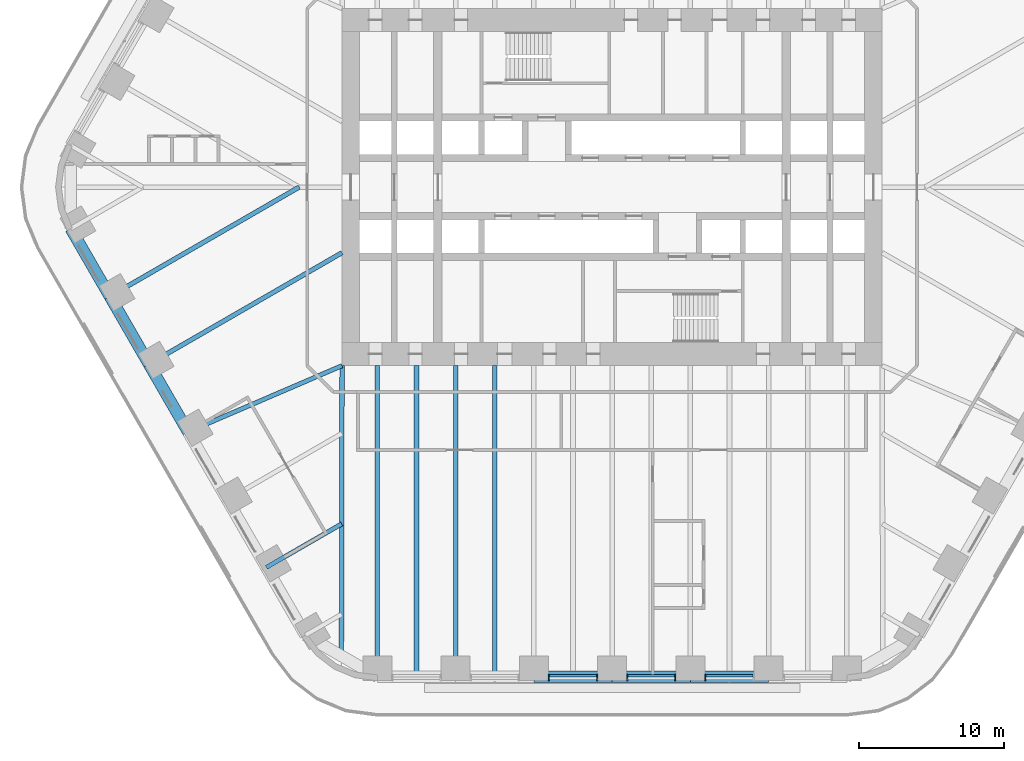
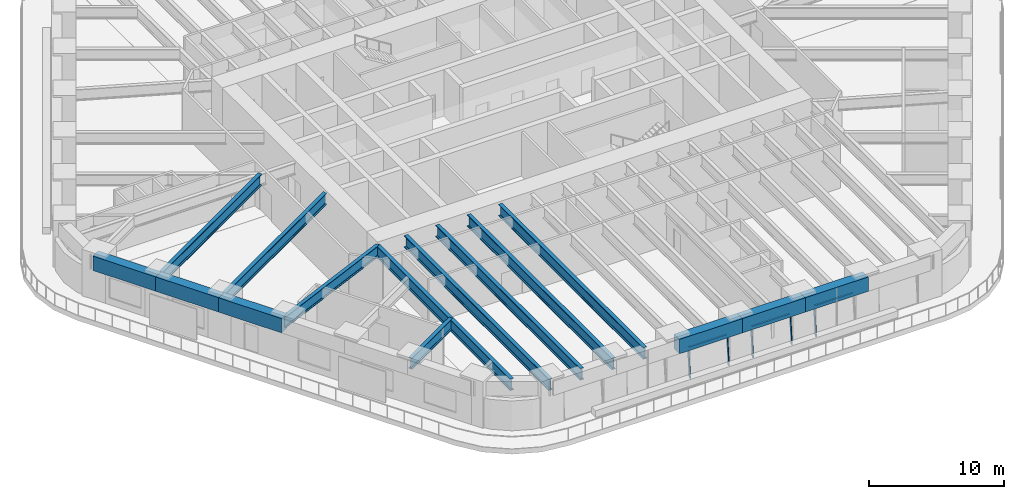
# One storey, part 3 of 23: 15 beams, 8 members, 3 elements without a shape of their own.
"""IFC4 building model written with IfcOpenShell, lengths in metres."""

from ifc_helpers import new_model, si_unit, direction, frame, origin, origin_2d, place, context, subcontext, project, spatial, rectangle, i_section, extrude, material, material_profile, profile_set, type_object, element, aggregate, save


model = new_model("IFC4")

# Units and contexts
model_context = context("Model", 3, precision=1e-05, world=origin(), true_north=direction((0.0, 1.0)))
body_context = subcontext(model_context, "Body", "Model", "MODEL_VIEW")
ifc_project = project(units=[si_unit("LENGTHUNIT", "METRE"), si_unit("AREAUNIT", "SQUARE_METRE"), si_unit("VOLUMEUNIT", "CUBIC_METRE"), si_unit("PLANEANGLEUNIT", "RADIAN"), si_unit("MASSUNIT", "GRAM", prefix="KILO")], contexts=[model_context])

# Site, building, storey
site_placement = place(None, origin())
site = spatial("IfcSite", under=ifc_project, at=site_placement, CompositionType="ELEMENT")
building_placement = place(site_placement, origin())
building = spatial("IfcBuilding", under=site, at=building_placement, Name="Tarfa Lantern Tower", CompositionType="ELEMENT")
storey_placement = place(building_placement, frame((0.0, 0.0, 78.10009765625)))
storey = spatial("IfcBuildingStorey", under=building, at=storey_placement, Name="L17", CompositionType="ELEMENT", Elevation=78.10009765625)

# Curtain wall, members
ifc_material_1 = material(Name="Aluminium framed curtain wall", Category="aluminium")
curtain_wall_type = type_object("IfcCurtainWallType", Name="CW1 CANTED GLAZING LOW ZONE 2700", PredefinedType="USERDEFINED", material=ifc_material_1)
curtain_wall_1_placement = place(storey_placement, origin())
curtain_wall_1 = element("IfcCurtainWall", 1, at=curtain_wall_1_placement, inside=storey, type_object=curtain_wall_type, Name="CW1 S L17", ObjectType="CURTAIN WALL", PredefinedType="USERDEFINED")
ifc_material_2 = material(Name="Aluminium mullion", Category="aluminium")
ifc_material_profile_1 = material_profile(ifc_material_2, rectangle(XDim=0.06494140625, YDim=0.199951171875, at=origin_2d()), Name="AL MULLION 65x200")
ifc_profile_set_1 = profile_set([ifc_material_profile_1], Name="Aluminium mullion")
member_type_1 = type_object("IfcMemberType", Name="CWM1 MULLION 65x200", PredefinedType="MULLION", material=ifc_profile_set_1)
member_1_placement = place(storey_placement, frame((-4.356201171875, -33.89990234375, 0.0), z_axis=(0.0, 0.092199863775, 0.995740520979), x_axis=(-1.0, 0.0, 0.0)))
member_1 = element("IfcMember", 2, at=member_1_placement, type_object=member_type_1, Name="CW1 mullion 1", PredefinedType="MULLION", context=body_context, shape_type="SweptSolid", body=[
    extrude(rectangle(XDim=0.06494140625, YDim=0.199951171875, at=origin_2d()), origin(), (0.0, 0.0, 1.0), 2.71142578125),
])
member_2_placement = place(storey_placement, frame((-1.032470703125, -33.89990234375, 0.0), z_axis=(0.0, 0.092199863775, 0.995740520979), x_axis=(-1.0, 0.0, 0.0)))
member_2 = element("IfcMember", 3, at=member_2_placement, type_object=member_type_1, Name="CW1 mullion 2", PredefinedType="MULLION", context=body_context, shape_type="SweptSolid", body=[
    extrude(rectangle(XDim=0.06494140625, YDim=0.199951171875, at=origin_2d()), origin(), (0.0, 0.0, 1.0), 2.71142578125),
])

curtain_wall_2_placement = place(storey_placement, origin())
curtain_wall_2 = element("IfcCurtainWall", 4, at=curtain_wall_2_placement, inside=storey, type_object=curtain_wall_type, Name="CW1 S L17", ObjectType="CURTAIN WALL", PredefinedType="USERDEFINED")
member_3_placement = place(storey_placement, frame((1.032470703125, -33.89990234375, 0.0), z_axis=(0.0, 0.092199863775, 0.995740520979), x_axis=(-1.0, 0.0, 0.0)))
member_3 = element("IfcMember", 5, at=member_3_placement, type_object=member_type_1, Name="CW1 mullion 1", PredefinedType="MULLION", context=body_context, shape_type="SweptSolid", body=[
    extrude(rectangle(XDim=0.06494140625, YDim=0.199951171875, at=origin_2d()), origin(), (0.0, 0.0, 1.0), 2.71142578125),
])
member_4_placement = place(storey_placement, frame((4.356201171875, -33.89990234375, 0.0), z_axis=(0.0, 0.092199863775, 0.995740520979), x_axis=(-1.0, 0.0, 0.0)))
member_4 = element("IfcMember", 6, at=member_4_placement, type_object=member_type_1, Name="CW1 mullion 2", PredefinedType="MULLION", context=body_context, shape_type="SweptSolid", body=[
    extrude(rectangle(XDim=0.06494140625, YDim=0.199951171875, at=origin_2d()), origin(), (0.0, 0.0, 1.0), 2.71142578125),
])

# Curtain wall, member
curtain_wall_3_placement = place(storey_placement, origin())
curtain_wall_3 = element("IfcCurtainWall", 7, at=curtain_wall_3_placement, inside=storey, type_object=curtain_wall_type, Name="CW1 S L17", ObjectType="CURTAIN WALL", PredefinedType="USERDEFINED")
member_5_placement = place(storey_placement, frame((6.421142578125, -33.89990234375, 0.0), z_axis=(0.0, 0.092199863775, 0.995740520979), x_axis=(-1.0, 0.0, 0.0)))
member_5 = element("IfcMember", 8, at=member_5_placement, type_object=member_type_1, Name="CW1 mullion 1", PredefinedType="MULLION", context=body_context, shape_type="SweptSolid", body=[
    extrude(rectangle(XDim=0.06494140625, YDim=0.199951171875, at=origin_2d()), origin(), (0.0, 0.0, 1.0), 2.71142578125),
])

# Member
ifc_material_3 = material(Name="Aluminium transom", Category="aluminium")
ifc_material_profile_2 = material_profile(ifc_material_3, rectangle(XDim=0.14990234375, YDim=0.06494140625, at=origin_2d()), Name="AL TRANSOM 150x65")
ifc_profile_set_2 = profile_set([ifc_material_profile_2], Name="Aluminium transom")
member_type_2 = type_object("IfcMemberType", Name="CWT1 TRANSOM 150x65", PredefinedType="USERDEFINED", material=ifc_profile_set_2)
member_6_placement = place(storey_placement, frame((-4.323486328125, -33.653076171875, 2.66748046875), z_axis=(1.0, 0.0, 0.0), x_axis=(0.0, 1.0, 0.0)))
member_6 = element("IfcMember", 9, at=member_6_placement, type_object=member_type_2, Name="CW1 transom 1.2", ObjectType="TRANSOM", PredefinedType="USERDEFINED", context=body_context, shape_type="SweptSolid", body=[
    extrude(rectangle(XDim=0.14990234375, YDim=0.06494140625, at=origin_2d()), origin(), (0.0, 0.0, 1.0), 3.258544921875),
])

aggregate(curtain_wall_1, [member_1, member_2, member_6])

member_7_placement = place(storey_placement, frame((1.06494140625, -33.653076171875, 2.66748046875), z_axis=(1.0, 0.0, 0.0), x_axis=(0.0, 1.0, 0.0)))
member_7 = element("IfcMember", 10, at=member_7_placement, type_object=member_type_2, Name="CW1 transom 1.2", ObjectType="TRANSOM", PredefinedType="USERDEFINED", context=body_context, shape_type="SweptSolid", body=[
    extrude(rectangle(XDim=0.14990234375, YDim=0.06494140625, at=origin_2d()), origin(), (0.0, 0.0, 1.0), 3.258544921875),
])

aggregate(curtain_wall_2, [member_3, member_4, member_7])

member_8_placement = place(storey_placement, frame((6.45361328125, -33.653076171875, 2.66748046875), z_axis=(1.0, 0.0, 0.0), x_axis=(0.0, 1.0, 0.0)))
member_8 = element("IfcMember", 11, at=member_8_placement, type_object=member_type_2, Name="CW1 transom 1.2", ObjectType="TRANSOM", PredefinedType="USERDEFINED", context=body_context, shape_type="SweptSolid", body=[
    extrude(rectangle(XDim=0.14990234375, YDim=0.06494140625, at=origin_2d()), origin(), (0.0, 0.0, 1.0), 3.258544921875),
])

aggregate(curtain_wall_3, [member_5, member_8])

# Beams
ifc_material_4 = material(Name="Concrete C80/95", Category="concrete")
ifc_material_profile_3 = material_profile(ifc_material_4, rectangle(XDim=0.800048828125, YDim=1.300048828125, at=origin_2d()), Name="RC 800x1300")
ifc_profile_set_3 = profile_set([ifc_material_profile_3], Name="Concrete C80/95")
beam_type_1 = type_object("IfcBeamType", Name="EB1 RC 800x1300", PredefinedType="SPANDREL", material=ifc_profile_set_3)
beam_1_placement = place(storey_placement, frame((-37.285400390625, -2.860107421875, 3.349853515625), z_axis=(0.500017906299, -0.866015065331, 0.0), x_axis=(0.866015065331, 0.500017906299, 0.0)))
element("IfcBeam", 12, at=beam_1_placement, inside=storey, type_object=beam_type_1, Name="Edge beam SW0", PredefinedType="SPANDREL", context=body_context, shape_type="SweptSolid", body=[
    extrude(rectangle(XDim=0.800048828125, YDim=1.300048828125, at=origin_2d()), origin(), (0.0, 0.0, 1.0), 5.388427734375),
])
for number, where, z_axis, x_axis, name in (
    (13, (-34.591064453125, -7.526611328125, 3.349853515625), (0.499998287579, -0.866026392449, 0.0), (0.866026392449, 0.499998287579, 0.0), "Edge beam SW1"),
    (14, (-31.896728515625, -12.193359375, 3.349853515625), (0.499998287579, -0.866026392449, 0.0), (0.866026392449, 0.499998287579, 0.0), "Edge beam SW2"),
    (15, (-5.388671875, -33.719970703125, 3.349853515625), (1.0, 0.0, 0.0), (0.0, 1.0, 0.0), "Edge beam S2"),
    (16, (0.0, -33.719970703125, 3.349853515625), (1.0, 0.0, 0.0), (0.0, 1.0, 0.0), "Edge beam S3"),
):
    element("IfcBeam", number, at=place(storey_placement, frame(where, z_axis=z_axis, x_axis=x_axis)), inside=storey, type_object=beam_type_1, Name=name, PredefinedType="SPANDREL", context=body_context, shape_type="SweptSolid", body=[
        extrude(rectangle(XDim=0.800048828125, YDim=1.300048828125, at=origin_2d()), origin(), (0.0, 0.0, 1.0), 5.388671875),
    ])
beam_2_placement = place(storey_placement, frame((5.388671875, -33.719970703125, 3.349853515625), z_axis=(1.0, 0.0, 0.0), x_axis=(0.0, 1.0, 0.0)))
element("IfcBeam", 17, at=beam_2_placement, inside=storey, type_object=beam_type_1, Name="Edge beam S4", PredefinedType="SPANDREL", context=body_context, shape_type="SweptSolid", body=[
    extrude(rectangle(XDim=0.800048828125, YDim=1.300048828125, at=origin_2d()), origin(), (0.0, 0.0, 1.0), 5.388427734375),
])
ifc_material_5 = material(Name="Steel S460M", Category="steel")
ifc_material_profile_4 = material_profile(ifc_material_5, i_section(OverallWidth=0.302001953125, OverallDepth=1.008056640625, WebThickness=0.02099609375, FlangeThickness=0.0400390625, FilletRadius=0.030029296875, at=origin_2d()), Name="UB1016x305x349")
ifc_profile_set_4 = profile_set([ifc_material_profile_4], Name="Steel S460M")
beam_type_2 = type_object("IfcBeamType", Name="UB1016x305x349", PredefinedType="BEAM", material=ifc_profile_set_4)
beam_3_placement = place(storey_placement, frame((-29.202392578125, -16.860107421875, 3.495849609375), z_axis=(0.918635483867, 0.395106122175, 0.0), x_axis=(-0.395106122175, 0.918635483867, 0.0)))
element("IfcBeam", 18, at=beam_3_placement, inside=storey, type_object=beam_type_2, Name="Floor beam SW3", PredefinedType="BEAM", context=body_context, shape_type="SweptSolid", body=[
    extrude(i_section(OverallWidth=0.302001953125, OverallDepth=1.008056640625, WebThickness=0.02099609375, FlangeThickness=0.0400390625, FilletRadius=0.030029296875, at=origin_2d()), origin(), (0.0, 0.0, 1.0), 11.541259765625),
])
beam_4_placement = place(storey_placement, frame((-23.813720703125, -26.193359375, 3.495849609375), z_axis=(0.866015997389, 0.500016292001, 0.0), x_axis=(-0.500016292001, 0.866015997389, 0.0)))
element("IfcBeam", 19, at=beam_4_placement, inside=storey, type_object=beam_type_2, Name="Floor beam SW5", PredefinedType="BEAM", context=body_context, shape_type="SweptSolid", body=[
    extrude(i_section(OverallWidth=0.302001953125, OverallDepth=1.008056640625, WebThickness=0.02099609375, FlangeThickness=0.0400390625, FilletRadius=0.030029296875, at=origin_2d()), origin(), (0.0, 0.0, 1.0), 5.993408203125),
])
ifc_material_profile_5 = material_profile(ifc_material_5, i_section(OverallWidth=0.314208984375, OverallDepth=1.055908203125, WebThickness=0.035888671875, FlangeThickness=0.06396484375, FilletRadius=0.030029296875, at=origin_2d()), Name="UB1016x305x584")
ifc_profile_set_5 = profile_set([ifc_material_profile_5], Name="Steel S460M")
beam_type_3 = type_object("IfcBeamType", Name="UB1016x305x584", PredefinedType="BEAM", material=ifc_profile_set_5)
beam_5_placement = place(storey_placement, frame((-18.60009765625, -12.300048828125, 3.471923828125), z_axis=(-0.00212508222, -0.99999774201, 0.0), x_axis=(0.99999774201, -0.00212508222, 0.0)))
element("IfcBeam", 20, at=beam_5_placement, inside=storey, type_object=beam_type_3, Name="Hip girder SW", PredefinedType="BEAM", context=body_context, shape_type="SweptSolid", body=[
    extrude(i_section(OverallWidth=0.314208984375, OverallDepth=1.055908203125, WebThickness=0.035888671875, FlangeThickness=0.06396484375, FilletRadius=0.030029296875, at=origin_2d()), origin(), (0.0, 0.0, 1.0), 19.989990234375),
])
beam_6_placement = place(storey_placement, frame((-34.591064453125, -7.526611328125, 3.471923828125), z_axis=(0.86602785945, 0.499995746638, 0.0), x_axis=(-0.499995746638, 0.86602785945, 0.0)))
element("IfcBeam", 21, at=beam_6_placement, inside=storey, type_object=beam_type_3, Name="Floor beam SW1", PredefinedType="BEAM", context=body_context, shape_type="SweptSolid", body=[
    extrude(i_section(OverallWidth=0.314208984375, OverallDepth=1.055908203125, WebThickness=0.035888671875, FlangeThickness=0.06396484375, FilletRadius=0.030029296875, at=origin_2d()), origin(), (0.0, 0.0, 1.0), 15.053466796875),
])
beam_7_placement = place(storey_placement, frame((-31.896728515625, -12.193359375, 3.471923828125), z_axis=(0.866026971665, 0.499997284341, 0.0), x_axis=(-0.499997284341, 0.866026971665, 0.0)))
element("IfcBeam", 22, at=beam_7_placement, inside=storey, type_object=beam_type_3, Name="Floor beam SW2", PredefinedType="BEAM", context=body_context, shape_type="SweptSolid", body=[
    extrude(i_section(OverallWidth=0.314208984375, OverallDepth=1.055908203125, WebThickness=0.035888671875, FlangeThickness=0.06396484375, FilletRadius=0.030029296875, at=origin_2d()), origin(), (0.0, 0.0, 1.0), 15.353515625),
])
for number, where, z_axis, x_axis, name in (
    (23, (-16.165771484375, -33.719970703125, 3.471923828125), (0.0, 1.0, 0.0), (-1.0, 0.0, 0.0), "Floor beam S0"),
    (24, (-10.777099609375, -33.719970703125, 3.471923828125), (0.0, 1.0, 0.0), (-1.0, 0.0, 0.0), "Floor beam S1"),
    (25, (-13.471435546875, -33.719970703125, 3.471923828125), (0.0, 1.0, 0.0), (-1.0, 0.0, 0.0), "Floor beam S0M"),
    (26, (-8.0830078125, -33.719970703125, 3.471923828125), (0.0, 1.0, 0.0), (-1.0, 0.0, 0.0), "Floor beam S1M"),
):
    element("IfcBeam", number, at=place(storey_placement, frame(where, z_axis=z_axis, x_axis=x_axis)), inside=storey, type_object=beam_type_3, Name=name, PredefinedType="BEAM", context=body_context, shape_type="SweptSolid", body=[
        extrude(i_section(OverallWidth=0.314208984375, OverallDepth=1.055908203125, WebThickness=0.035888671875, FlangeThickness=0.06396484375, FilletRadius=0.030029296875, at=origin_2d()), origin(), (0.0, 0.0, 1.0), 21.419921875),
    ])

save(model, "model.ifc")
